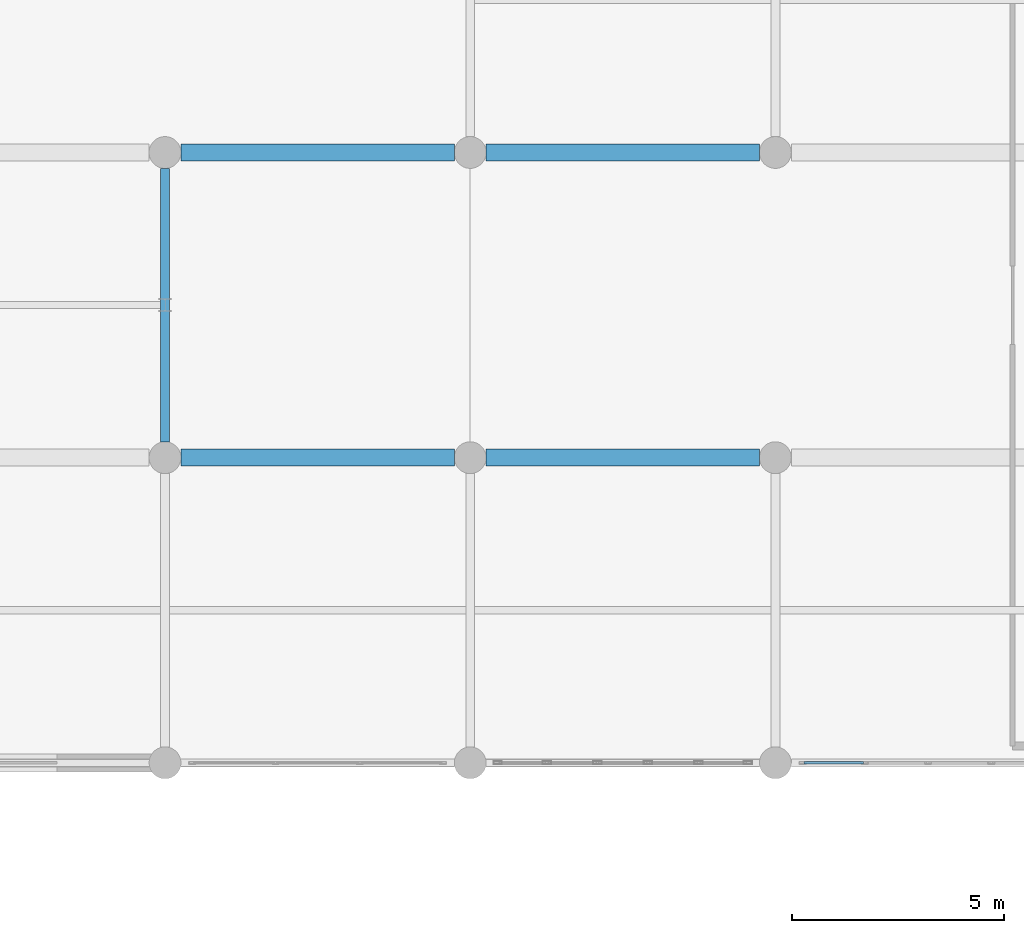
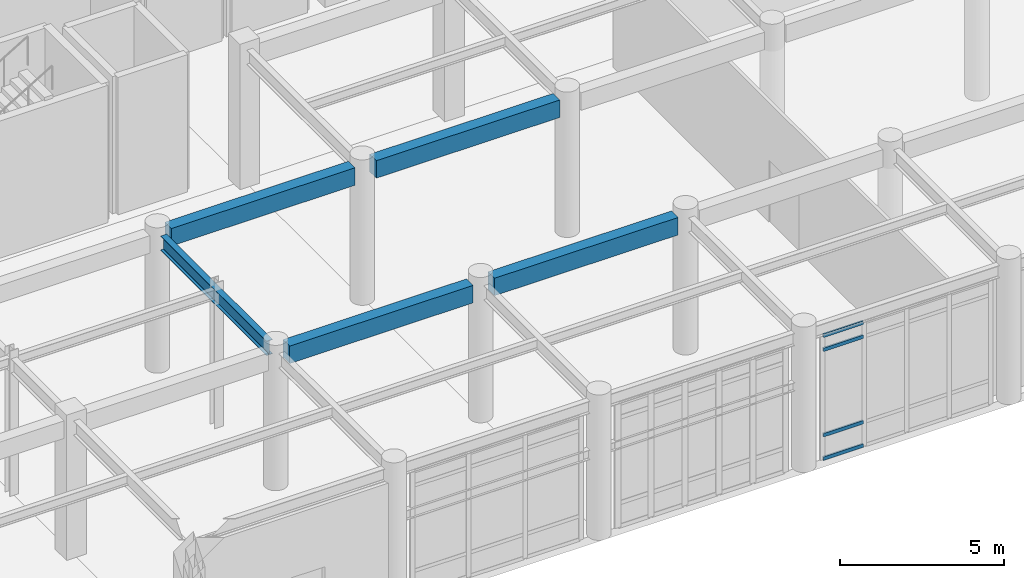
# One storey, part 34 of 102: 5 beams, 4 members, 1 element without a shape of its own.
"""IFC4 building model written with IfcOpenShell, lengths in metres."""

from ifc_helpers import new_model, si_unit, direction, frame, origin, origin_2d, place, context, subcontext, project, spatial, rectangle, hollow_rectangle, i_section, extrude, material, layer, layer_set, material_profile, profile_set, type_object, element, aggregate, save


model = new_model("IFC4")

# Units and contexts
model_context = context("Model", 3, precision=1e-05, world=origin(), true_north=direction((0.0, 1.0)))
body_context = subcontext(model_context, "Body", "Model", "MODEL_VIEW")
ifc_project = project(units=[si_unit("LENGTHUNIT", "METRE"), si_unit("AREAUNIT", "SQUARE_METRE"), si_unit("VOLUMEUNIT", "CUBIC_METRE"), si_unit("PLANEANGLEUNIT", "RADIAN"), si_unit("MASSUNIT", "GRAM", prefix="KILO")], contexts=[model_context])

# Site, building, storey
site_placement = place(None, origin())
site = spatial("IfcSite", under=ifc_project, at=site_placement, CompositionType="ELEMENT")
building_placement = place(site_placement, origin())
building = spatial("IfcBuilding", under=site, at=building_placement, Name="Carrowvane Square Congress Hotel", CompositionType="ELEMENT")
storey_placement = place(building_placement, origin())
storey = spatial("IfcBuildingStorey", under=building, at=storey_placement, Name="L00", CompositionType="ELEMENT", Elevation=0.0)

# Beams
ifc_material_1 = material(Name="Concrete C35/45", Category="concrete")
ifc_material_profile_1 = material_profile(ifc_material_1, rectangle(XDim=0.39990234375, YDim=0.64990234375, at=origin_2d()), Name="RC 400x650")
ifc_profile_set_1 = profile_set([ifc_material_profile_1], Name="Concrete C35/45")
beam_type_1 = type_object("IfcBeamType", Name="BM-RC-400x650", PredefinedType="BEAM", material=ifc_profile_set_1)
beam_1_placement = place(storey_placement, frame((76.77490234375, 77.39990234375, 4.77490234375), z_axis=(1.0, 0.0, 0.0), x_axis=(0.0, 1.0, 0.0)))
element("IfcBeam", 1, at=beam_1_placement, inside=storey, type_object=beam_type_1, Name="L01 girder L/10-11", PredefinedType="BEAM", context=body_context, shape_type="SweptSolid", body=[
    extrude(rectangle(XDim=0.39990234375, YDim=0.64990234375, at=origin_2d()), origin(), (0.0, 0.0, 1.0), 6.4501953125),
])
beam_2_placement = place(storey_placement, frame((83.97509765625, 77.39990234375, 4.77490234375), z_axis=(1.0, 0.0, 0.0), x_axis=(0.0, 1.0, 0.0)))
element("IfcBeam", 2, at=beam_2_placement, inside=storey, type_object=beam_type_1, Name="L01 girder L/11-12", PredefinedType="BEAM", context=body_context, shape_type="SweptSolid", body=[
    extrude(rectangle(XDim=0.39990234375, YDim=0.64990234375, at=origin_2d()), origin(), (0.0, 0.0, 1.0), 6.449951171875),
])
beam_3_placement = place(storey_placement, frame((76.77490234375, 84.60009765625, 4.77490234375), z_axis=(1.0, 0.0, 0.0), x_axis=(0.0, 1.0, 0.0)))
element("IfcBeam", 3, at=beam_3_placement, inside=storey, type_object=beam_type_1, Name="L01 girder M/10-11", PredefinedType="BEAM", context=body_context, shape_type="SweptSolid", body=[
    extrude(rectangle(XDim=0.39990234375, YDim=0.64990234375, at=origin_2d()), origin(), (0.0, 0.0, 1.0), 6.4501953125),
])
beam_4_placement = place(storey_placement, frame((83.97509765625, 84.60009765625, 4.77490234375), z_axis=(1.0, 0.0, 0.0), x_axis=(0.0, 1.0, 0.0)))
element("IfcBeam", 4, at=beam_4_placement, inside=storey, type_object=beam_type_1, Name="L01 girder M/11-12", PredefinedType="BEAM", context=body_context, shape_type="SweptSolid", body=[
    extrude(rectangle(XDim=0.39990234375, YDim=0.64990234375, at=origin_2d()), origin(), (0.0, 0.0, 1.0), 6.449951171875),
])
ifc_material_2 = material(Name="Steel S355", Category="steel")
ifc_material_profile_2 = material_profile(ifc_material_2, i_section(OverallWidth=0.2099609375, OverallDepth=0.53662109375, WebThickness=0.0107421875, FlangeThickness=0.017333984375, FilletRadius=0.0126953125, at=origin_2d()), Name="UKB 533x210x101")
ifc_profile_set_2 = profile_set([ifc_material_profile_2], Name="Steel S355")
beam_type_2 = type_object("IfcBeamType", Name="BM-ST-UKB533", PredefinedType="USERDEFINED", material=ifc_profile_set_2)
beam_5_placement = place(storey_placement, frame((76.39990234375, 77.77490234375, 4.83154296875), z_axis=(0.0, 1.0, 0.0), x_axis=(-1.0, 0.0, 0.0)))
element("IfcBeam", 5, at=beam_5_placement, inside=storey, type_object=beam_type_2, Name="L01 girder 10/L-M", ObjectType="GIRDER", PredefinedType="USERDEFINED", context=body_context, shape_type="SweptSolid", body=[
    extrude(i_section(OverallWidth=0.2099609375, OverallDepth=0.53662109375, WebThickness=0.0107421875, FlangeThickness=0.017333984375, FilletRadius=0.0126953125, at=origin_2d()), origin(), (0.0, 0.0, 1.0), 6.4501953125),
])

# Curtain wall, members
ifc_material_3 = material(Name="Anodised aluminium", Category="aluminium")
ifc_layer = layer(ifc_material_3, 0.23388671875)
ifc_layer_set = layer_set([ifc_layer], Name="Anodised aluminium")
curtain_wall_type = type_object("IfcCurtainWallType", Name="CW-SYS-7", PredefinedType="NOTDEFINED", material=ifc_layer_set)
curtain_wall_placement = place(storey_placement, origin())
curtain_wall = element("IfcCurtainWall", 6, at=curtain_wall_placement, inside=storey, type_object=curtain_wall_type, Name="L00 unitised curtain wall 54", PredefinedType="NOTDEFINED")
ifc_material_4 = material(Name="Anodised aluminium", Category="aluminium")
ifc_material_profile_3 = material_profile(ifc_material_4, hollow_rectangle(XDim=0.06005859375, YDim=0.1298828125, WallThickness=0.00390625, at=origin_2d()), Name="CW-TR 60x130x4")
ifc_profile_set_3 = profile_set([ifc_material_profile_3], Name="Anodised aluminium")
member_type = type_object("IfcMemberType", Name="CW-TRN-1", PredefinedType="USERDEFINED", material=ifc_profile_set_3)
member_1_placement = place(storey_placement, frame((92.87744140625, 70.199951171875, 0.030029296875), z_axis=(-1.0, 0.0, 0.0), x_axis=(0.0, -1.0, 0.0)))
member_1 = element("IfcMember", 7, at=member_1_placement, type_object=member_type, Name="CW-7 transom 4.1", ObjectType="TRANSOM", PredefinedType="USERDEFINED", context=body_context, shape_type="SweptSolid", body=[
    extrude(hollow_rectangle(XDim=0.06005859375, YDim=0.1298828125, WallThickness=0.00390625, at=origin_2d()), origin(), (0.0, 0.0, 1.0), 1.40234375),
])
member_2_placement = place(storey_placement, frame((92.87744140625, 70.199951171875, 0.89990234375), z_axis=(-1.0, 0.0, 0.0), x_axis=(0.0, -1.0, 0.0)))
member_2 = element("IfcMember", 8, at=member_2_placement, type_object=member_type, Name="CW-7 transom 4.2", ObjectType="TRANSOM", PredefinedType="USERDEFINED", context=body_context, shape_type="SweptSolid", body=[
    extrude(hollow_rectangle(XDim=0.06005859375, YDim=0.1298828125, WallThickness=0.00390625, at=origin_2d()), origin(), (0.0, 0.0, 1.0), 1.40234375),
])
member_3_placement = place(storey_placement, frame((92.87744140625, 70.199951171875, 4.074951171875), z_axis=(-1.0, 0.0, 0.0), x_axis=(0.0, -1.0, 0.0)))
member_3 = element("IfcMember", 9, at=member_3_placement, type_object=member_type, Name="CW-7 transom 4.3", ObjectType="TRANSOM", PredefinedType="USERDEFINED", context=body_context, shape_type="SweptSolid", body=[
    extrude(hollow_rectangle(XDim=0.06005859375, YDim=0.1298828125, WallThickness=0.00390625, at=origin_2d()), origin(), (0.0, 0.0, 1.0), 1.40234375),
])
member_4_placement = place(storey_placement, frame((92.87744140625, 70.199951171875, 4.594970703125), z_axis=(-1.0, 0.0, 0.0), x_axis=(0.0, -1.0, 0.0)))
member_4 = element("IfcMember", 10, at=member_4_placement, type_object=member_type, Name="CW-7 transom 4.4", ObjectType="TRANSOM", PredefinedType="USERDEFINED", context=body_context, shape_type="SweptSolid", body=[
    extrude(hollow_rectangle(XDim=0.06005859375, YDim=0.1298828125, WallThickness=0.00390625, at=origin_2d()), origin(), (0.0, 0.0, 1.0), 1.40234375),
])
aggregate(curtain_wall, [member_1, member_2, member_3, member_4])

save(model, "model.ifc")
